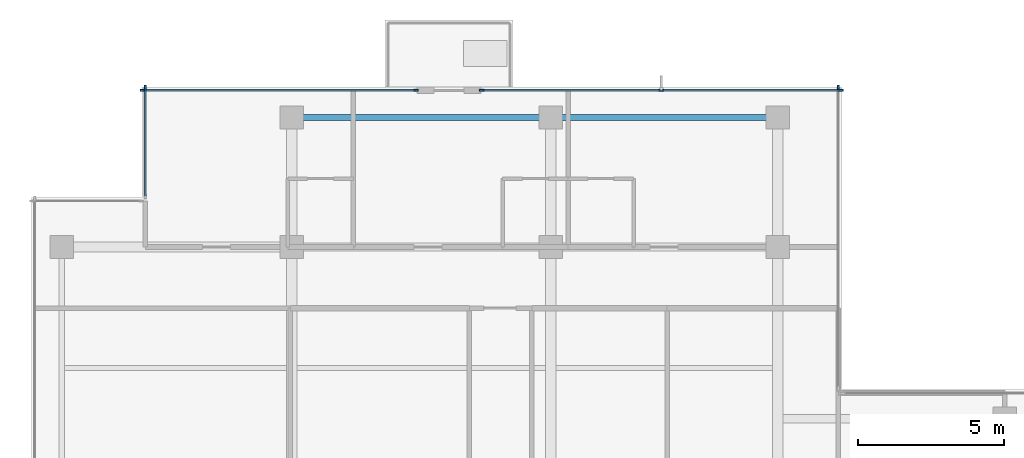
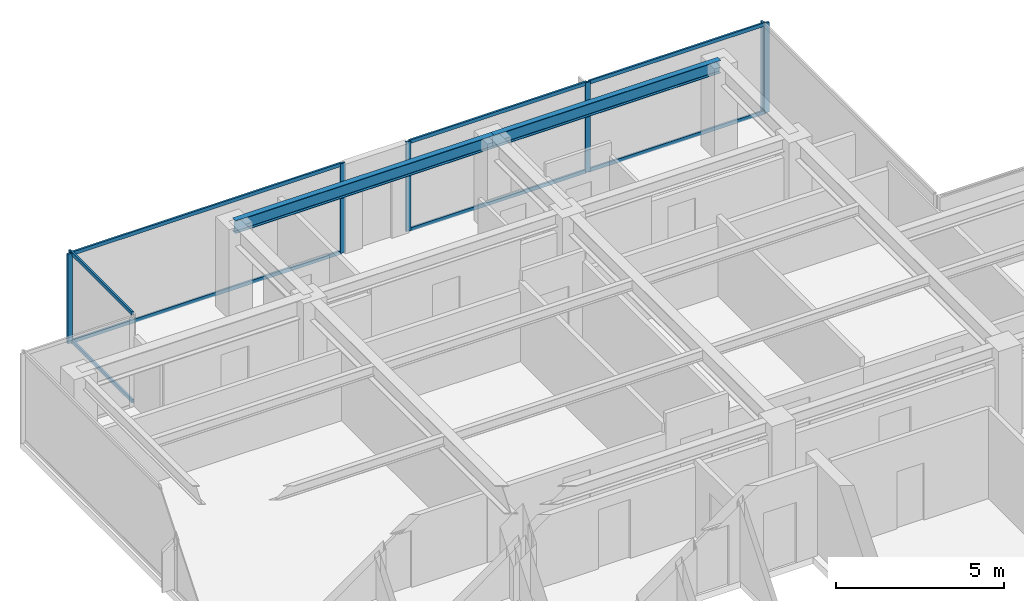
# One storey, part 4 of 11: 15 members, 2 beams, 4 elements without a shape of their own.
"""IFC4 building model written with IfcOpenShell, lengths in metres."""

from ifc_helpers import new_model, si_unit, direction, frame, origin, origin_2d, place, context, subcontext, project, spatial, rectangle, i_section, extrude, material, layer, layer_set, material_profile, profile_set, type_object, element, aggregate, save


model = new_model("IFC4")

# Units and contexts
model_context = context("Model", 3, precision=1e-05, world=origin(), true_north=direction((0.0, 1.0)))
body_context = subcontext(model_context, "Body", "Model", "MODEL_VIEW")
ifc_project = project(units=[si_unit("LENGTHUNIT", "METRE"), si_unit("AREAUNIT", "SQUARE_METRE"), si_unit("VOLUMEUNIT", "CUBIC_METRE"), si_unit("PLANEANGLEUNIT", "RADIAN"), si_unit("MASSUNIT", "GRAM", prefix="KILO")], contexts=[model_context])

# Site, building, storey
site_placement = place(None, origin())
site = spatial("IfcSite", under=ifc_project, at=site_placement, CompositionType="ELEMENT")
building_placement = place(site_placement, origin())
building = spatial("IfcBuilding", under=site, at=building_placement, Name="Qalmaran Belvedere Hotel", CompositionType="ELEMENT")
storey_placement = place(building_placement, frame((0.0, 0.0, 263.39990234375)))
storey = spatial("IfcBuildingStorey", under=building, at=storey_placement, Name="L68", CompositionType="ELEMENT", Elevation=263.39990234375)

# Beams
ifc_material_1 = material(Name="Steel S355JR", Category="steel")
ifc_material_profile_1 = material_profile(ifc_material_1, i_section(OverallWidth=0.19189453125, OverallDepth=0.462890625, WebThickness=0.010498046875, FlangeThickness=0.017578125, FilletRadius=0.01611328125, at=origin_2d()), Name="W460X89")
ifc_profile_set_1 = profile_set([ifc_material_profile_1], Name="Steel S355JR")
beam_type = type_object("IfcBeamType", Name="BM-SP2-W460X89", PredefinedType="SPANDREL", material=ifc_profile_set_1)
beam_1_placement = place(storey_placement, frame((20.300048828125, 37.449951171875, 3.028564453125), z_axis=(1.0, 0.0, 0.0), x_axis=(0.0, 1.0, 0.0)))
element("IfcBeam", 1, at=beam_1_placement, inside=storey, type_object=beam_type, Name="L68 Perimeter Spandrel 04", PredefinedType="SPANDREL", context=body_context, shape_type="SweptSolid", body=[
    extrude(i_section(OverallWidth=0.19189453125, OverallDepth=0.462890625, WebThickness=0.010498046875, FlangeThickness=0.017578125, FilletRadius=0.01611328125, at=origin_2d()), origin(), (0.0, 0.0, 1.0), 8.89990234375),
])
beam_2_placement = place(storey_placement, frame((29.199951171875, 37.449951171875, 3.028564453125), z_axis=(1.0, 0.0, 0.0), x_axis=(0.0, 1.0, 0.0)))
element("IfcBeam", 2, at=beam_2_placement, inside=storey, type_object=beam_type, Name="L68 Perimeter Spandrel 05", PredefinedType="SPANDREL", context=body_context, shape_type="SweptSolid", body=[
    extrude(i_section(OverallWidth=0.19189453125, OverallDepth=0.462890625, WebThickness=0.010498046875, FlangeThickness=0.017578125, FilletRadius=0.01611328125, at=origin_2d()), origin(), (0.0, 0.0, 1.0), 7.800048828125),
])

# Curtain wall, member
ifc_material_2 = material(Name="Anodised Bronze Aluminium", Category="aluminium")
ifc_layer = layer(ifc_material_2, 0.18505859375, Name="Anodised Bronze Aluminium")
ifc_layer_set = layer_set([ifc_layer], Name="Anodised Bronze Aluminium")
curtain_wall_type = type_object("IfcCurtainWallType", Name="CW6-TOWER-SKY", PredefinedType="NOTDEFINED", material=ifc_layer_set)
curtain_wall_1_placement = place(storey_placement, origin())
curtain_wall_1 = element("IfcCurtainWall", 3, at=curtain_wall_1_placement, inside=storey, type_object=curtain_wall_type, Name="L68 Curtain Wall CW6", PredefinedType="NOTDEFINED")
ifc_material_profile_2 = material_profile(ifc_material_2, rectangle(XDim=0.06494140625, YDim=0.1650390625, at=origin_2d()), Name="CWM65X165")
ifc_profile_set_2 = profile_set([ifc_material_profile_2], Name="Anodised Bronze Aluminium")
member_type_1 = type_object("IfcMemberType", Name="CWM-65X165", PredefinedType="MULLION", material=ifc_profile_set_2)
member_1_placement = place(storey_placement, frame((39.080078125, 38.467529296875, 0.0), z_axis=(0.0, 0.0, 1.0), x_axis=(-1.0, 0.0, 0.0)))
member_1 = element("IfcMember", 4, at=member_1_placement, type_object=member_type_1, Name="CW6 mullion 2", PredefinedType="MULLION", context=body_context, shape_type="SweptSolid", body=[
    extrude(rectangle(XDim=0.06494140625, YDim=0.1650390625, at=origin_2d()), origin(), (0.0, 0.0, 1.0), 3.260009765625),
])
aggregate(curtain_wall_1, [member_1])

# Curtain wall, members
curtain_wall_2_placement = place(storey_placement, origin())
curtain_wall_2 = element("IfcCurtainWall", 5, at=curtain_wall_2_placement, inside=storey, type_object=curtain_wall_type, Name="L68 Curtain Wall CW6", PredefinedType="NOTDEFINED")
member_2_placement = place(storey_placement, frame((24.5673828125, 38.3798828125, 0.0), z_axis=(0.0, 0.0, 1.0), x_axis=(0.0, -1.0, 0.0)))
member_2 = element("IfcMember", 6, at=member_2_placement, type_object=member_type_1, Name="CW6 mullion 1", PredefinedType="MULLION", context=body_context, shape_type="SweptSolid", body=[
    extrude(rectangle(XDim=0.06494140625, YDim=0.1650390625, at=origin_2d()), origin(), (0.0, 0.0, 1.0), 3.260009765625),
])
member_3_placement = place(storey_placement, frame((15.1826171875, 38.3798828125, 0.0), z_axis=(0.0, 0.0, 1.0), x_axis=(0.0, -1.0, 0.0)))
member_3 = element("IfcMember", 7, at=member_3_placement, type_object=member_type_1, Name="CW6 mullion 2", PredefinedType="MULLION", context=body_context, shape_type="SweptSolid", body=[
    extrude(rectangle(XDim=0.06494140625, YDim=0.1650390625, at=origin_2d()), origin(), (0.0, 0.0, 1.0), 3.260009765625),
])

curtain_wall_3_placement = place(storey_placement, origin())
curtain_wall_3 = element("IfcCurtainWall", 8, at=curtain_wall_3_placement, inside=storey, type_object=curtain_wall_type, Name="L68 Curtain Wall CW6", PredefinedType="NOTDEFINED")
member_4_placement = place(storey_placement, frame((39.16748046875, 38.3798828125, 0.0), z_axis=(0.0, 0.0, 1.0), x_axis=(0.0, -1.0, 0.0)))
member_4 = element("IfcMember", 9, at=member_4_placement, type_object=member_type_1, Name="CW6 mullion 1", PredefinedType="MULLION", context=body_context, shape_type="SweptSolid", body=[
    extrude(rectangle(XDim=0.06494140625, YDim=0.1650390625, at=origin_2d()), origin(), (0.0, 0.0, 1.0), 3.260009765625),
])
member_5_placement = place(storey_placement, frame((33.0, 38.3798828125, 0.0), z_axis=(0.0, 0.0, 1.0), x_axis=(0.0, -1.0, 0.0)))
member_5 = element("IfcMember", 10, at=member_5_placement, type_object=member_type_1, Name="CW6 mullion 2", PredefinedType="MULLION", context=body_context, shape_type="SweptSolid", body=[
    extrude(rectangle(XDim=0.06494140625, YDim=0.1650390625, at=origin_2d()), origin(), (0.0, 0.0, 1.0), 3.260009765625),
])
member_6_placement = place(storey_placement, frame((26.83251953125, 38.3798828125, 0.0), z_axis=(0.0, 0.0, 1.0), x_axis=(0.0, -1.0, 0.0)))
member_6 = element("IfcMember", 11, at=member_6_placement, type_object=member_type_1, Name="CW6 mullion 3", PredefinedType="MULLION", context=body_context, shape_type="SweptSolid", body=[
    extrude(rectangle(XDim=0.06494140625, YDim=0.1650390625, at=origin_2d()), origin(), (0.0, 0.0, 1.0), 3.260009765625),
])

# Curtain wall, member
curtain_wall_4_placement = place(storey_placement, origin())
curtain_wall_4 = element("IfcCurtainWall", 12, at=curtain_wall_4_placement, inside=storey, type_object=curtain_wall_type, Name="L68 Curtain Wall CW6", PredefinedType="NOTDEFINED")
member_7_placement = place(storey_placement, frame((15.27001953125, 38.467529296875, 0.0), z_axis=(0.0, 0.0, 1.0), x_axis=(1.0, 0.0, 0.0)))
member_7 = element("IfcMember", 13, at=member_7_placement, type_object=member_type_1, Name="CW6 mullion 1", PredefinedType="MULLION", context=body_context, shape_type="SweptSolid", body=[
    extrude(rectangle(XDim=0.06494140625, YDim=0.1650390625, at=origin_2d()), origin(), (0.0, 0.0, 1.0), 3.260009765625),
])

# Member
ifc_material_profile_3 = material_profile(ifc_material_2, rectangle(XDim=0.06494140625, YDim=0.1298828125, at=origin_2d()), Name="CWT65X130")
ifc_profile_set_3 = profile_set([ifc_material_profile_3], Name="Anodised Bronze Aluminium")
member_type_2 = type_object("IfcMemberType", Name="CWT-65X130", PredefinedType="USERDEFINED", material=ifc_profile_set_3)
member_8_placement = place(storey_placement, frame((24.534912109375, 38.3798828125, 0.03271484375), z_axis=(-1.0, 0.0, 0.0), x_axis=(0.0, -1.0, 0.0)))
member_8 = element("IfcMember", 14, at=member_8_placement, type_object=member_type_2, Name="CW6 transom 1.1", ObjectType="TRANSOM", PredefinedType="USERDEFINED", context=body_context, shape_type="SweptSolid", body=[
    extrude(rectangle(XDim=0.06494140625, YDim=0.1298828125, at=origin_2d()), origin(), (0.0, 0.0, 1.0), 9.31982421875),
])

member_9_placement = place(storey_placement, frame((24.534912109375, 38.3798828125, 3.2275390625), z_axis=(-1.0, 0.0, 0.0), x_axis=(0.0, -1.0, 0.0)))
member_9 = element("IfcMember", 15, at=member_9_placement, type_object=member_type_2, Name="CW6 transom 1.2", ObjectType="TRANSOM", PredefinedType="USERDEFINED", context=body_context, shape_type="SweptSolid", body=[
    extrude(rectangle(XDim=0.06494140625, YDim=0.1298828125, at=origin_2d()), origin(), (0.0, 0.0, 1.0), 9.31982421875),
])

aggregate(curtain_wall_2, [member_2, member_3, member_8, member_9])

member_10_placement = place(storey_placement, frame((39.135009765625, 38.3798828125, 0.03271484375), z_axis=(-1.0, 0.0, 0.0), x_axis=(0.0, -1.0, 0.0)))
member_10 = element("IfcMember", 16, at=member_10_placement, type_object=member_type_2, Name="CW6 transom 1.1", ObjectType="TRANSOM", PredefinedType="USERDEFINED", context=body_context, shape_type="SweptSolid", body=[
    extrude(rectangle(XDim=0.06494140625, YDim=0.1298828125, at=origin_2d()), origin(), (0.0, 0.0, 1.0), 6.1025390625),
])

member_11_placement = place(storey_placement, frame((39.135009765625, 38.3798828125, 3.2275390625), z_axis=(-1.0, 0.0, 0.0), x_axis=(0.0, -1.0, 0.0)))
member_11 = element("IfcMember", 17, at=member_11_placement, type_object=member_type_2, Name="CW6 transom 1.2", ObjectType="TRANSOM", PredefinedType="USERDEFINED", context=body_context, shape_type="SweptSolid", body=[
    extrude(rectangle(XDim=0.06494140625, YDim=0.1298828125, at=origin_2d()), origin(), (0.0, 0.0, 1.0), 6.1025390625),
])

member_12_placement = place(storey_placement, frame((32.967529296875, 38.3798828125, 0.03271484375), z_axis=(-1.0, 0.0, 0.0), x_axis=(0.0, -1.0, 0.0)))
member_12 = element("IfcMember", 18, at=member_12_placement, type_object=member_type_2, Name="CW6 transom 2.1", ObjectType="TRANSOM", PredefinedType="USERDEFINED", context=body_context, shape_type="SweptSolid", body=[
    extrude(rectangle(XDim=0.06494140625, YDim=0.1298828125, at=origin_2d()), origin(), (0.0, 0.0, 1.0), 6.1025390625),
])

member_13_placement = place(storey_placement, frame((32.967529296875, 38.3798828125, 3.2275390625), z_axis=(-1.0, 0.0, 0.0), x_axis=(0.0, -1.0, 0.0)))
member_13 = element("IfcMember", 19, at=member_13_placement, type_object=member_type_2, Name="CW6 transom 2.2", ObjectType="TRANSOM", PredefinedType="USERDEFINED", context=body_context, shape_type="SweptSolid", body=[
    extrude(rectangle(XDim=0.06494140625, YDim=0.1298828125, at=origin_2d()), origin(), (0.0, 0.0, 1.0), 6.1025390625),
])

aggregate(curtain_wall_3, [member_4, member_5, member_6, member_10, member_11, member_12, member_13])

member_14_placement = place(storey_placement, frame((15.27001953125, 38.43505859375, 0.03271484375), z_axis=(0.0, -1.0, 0.0), x_axis=(1.0, 0.0, 0.0)))
member_14 = element("IfcMember", 20, at=member_14_placement, type_object=member_type_2, Name="CW6 transom 1.1", ObjectType="TRANSOM", PredefinedType="USERDEFINED", context=body_context, shape_type="SweptSolid", body=[
    extrude(rectangle(XDim=0.06494140625, YDim=0.1298828125, at=origin_2d()), origin(), (0.0, 0.0, 1.0), 3.670166015625),
])

member_15_placement = place(storey_placement, frame((15.27001953125, 38.43505859375, 3.2275390625), z_axis=(0.0, -1.0, 0.0), x_axis=(1.0, 0.0, 0.0)))
member_15 = element("IfcMember", 21, at=member_15_placement, type_object=member_type_2, Name="CW6 transom 1.2", ObjectType="TRANSOM", PredefinedType="USERDEFINED", context=body_context, shape_type="SweptSolid", body=[
    extrude(rectangle(XDim=0.06494140625, YDim=0.1298828125, at=origin_2d()), origin(), (0.0, 0.0, 1.0), 3.670166015625),
])

aggregate(curtain_wall_4, [member_7, member_14, member_15])

save(model, "model.ifc")
